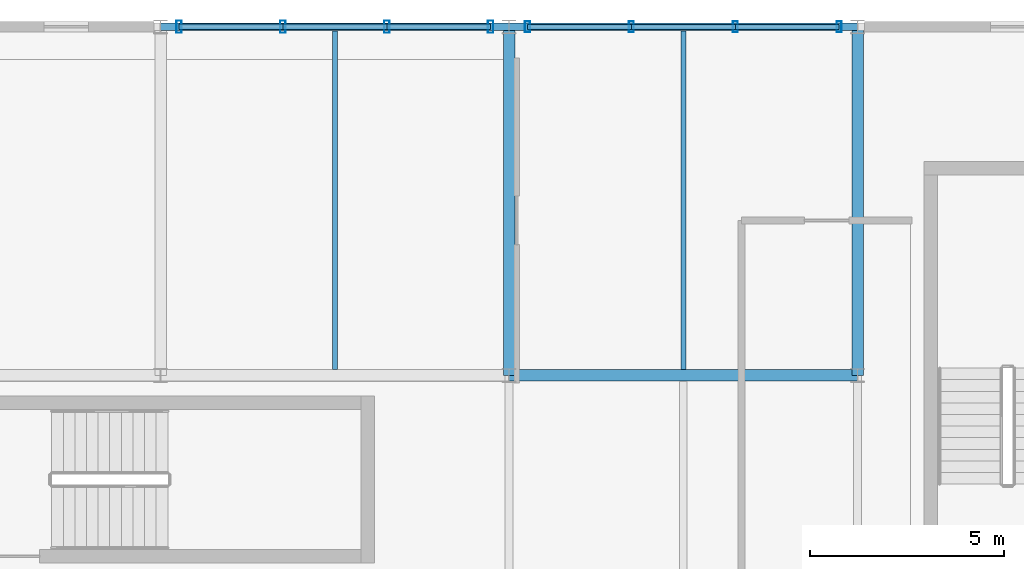
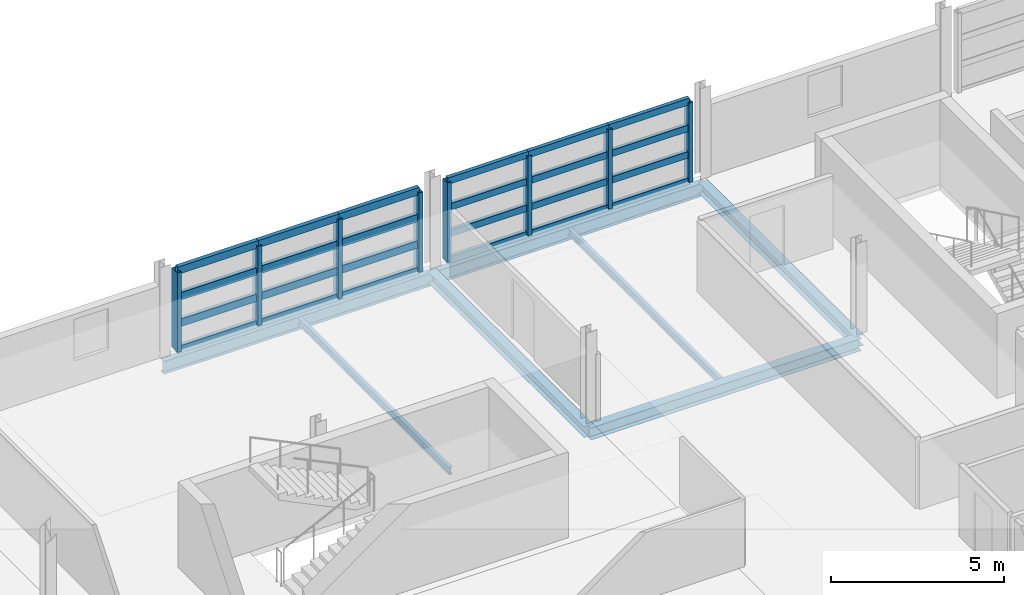
# One storey, part 14 of 30: 32 members, 7 beams, 2 elements without a shape of their own.
"""IFC4 building model written with IfcOpenShell, lengths in metres."""

from ifc_helpers import new_model, si_unit, direction, frame, origin, origin_2d, place, context, subcontext, project, spatial, hollow_rectangle, i_section, extrude, material, material_profile, profile_set, type_object, element, aggregate, save


model = new_model("IFC4")

# Units and contexts
model_context = context("Model", 3, precision=1e-05, world=origin(), true_north=direction((0.0, 1.0)))
body_context = subcontext(model_context, "Body", "Model", "MODEL_VIEW")
ifc_project = project(units=[si_unit("LENGTHUNIT", "METRE"), si_unit("AREAUNIT", "SQUARE_METRE"), si_unit("VOLUMEUNIT", "CUBIC_METRE"), si_unit("PLANEANGLEUNIT", "RADIAN"), si_unit("MASSUNIT", "GRAM", prefix="KILO")], contexts=[model_context])

# Site, building, storey
site_placement = place(None, origin())
site = spatial("IfcSite", under=ifc_project, at=site_placement, CompositionType="ELEMENT")
building_placement = place(site_placement, origin())
building = spatial("IfcBuilding", under=site, at=building_placement, Name="Chuanluo Vaults Station", CompositionType="ELEMENT")
storey_placement = place(building_placement, frame((0.0, 0.0, 17.60009765625)))
storey = spatial("IfcBuildingStorey", under=building, at=storey_placement, Name="L04", CompositionType="ELEMENT", Elevation=17.60009765625)

# Beams
ifc_material_1 = material(Name="Steel Q355C", Category="steel")
ifc_material_profile_1 = material_profile(ifc_material_1, i_section(OverallWidth=0.300048828125, OverallDepth=0.389892578125, WebThickness=0.010009765625, FlangeThickness=0.01611328125, FilletRadius=0.02001953125, at=origin_2d()))
ifc_profile_set_1 = profile_set([ifc_material_profile_1], Name="Steel Q355C")
beam_type_1 = type_object("IfcBeamType", Name="BM-GRD-400", PredefinedType="BEAM", material=ifc_profile_set_1)
for number, where, z_axis, x_axis, name in (
    (1, (163.0, 117.0, -0.39501953125), (0.0, 1.0, 0.0), (-1.0, 0.0, 0.0), "Floor girder BM:GY:L04:0932"),
    (2, (172.0, 117.0, -0.39501953125), (0.0, 1.0, 0.0), (-1.0, 0.0, 0.0), "Floor girder BM:GY:L04:0941"),
):
    element("IfcBeam", number, at=place(storey_placement, frame(where, z_axis=z_axis, x_axis=x_axis)), inside=storey, type_object=beam_type_1, Name=name, PredefinedType="BEAM", context=body_context, shape_type="SweptSolid", body=[
        extrude(i_section(OverallWidth=0.300048828125, OverallDepth=0.389892578125, WebThickness=0.010009765625, FlangeThickness=0.01611328125, FilletRadius=0.02001953125, at=origin_2d()), origin(), (0.0, 0.0, 1.0), 9.0),
    ])
ifc_material_2 = material(Name="Steel Q355C", Category="steel")
ifc_material_profile_2 = material_profile(ifc_material_2, i_section(OverallWidth=0.300048828125, OverallDepth=0.43994140625, WebThickness=0.010986328125, FlangeThickness=0.01806640625, FilletRadius=0.02001953125, at=origin_2d()))
ifc_profile_set_2 = profile_set([ifc_material_profile_2], Name="Steel Q355C")
beam_type_2 = type_object("IfcBeamType", Name="BM-GRD-450", PredefinedType="USERDEFINED", material=ifc_profile_set_2)
beam_placement = place(storey_placement, frame((163.0, 117.0, -0.420166015625), z_axis=(1.0, 0.0, 0.0), x_axis=(0.0, 1.0, 0.0)))
element("IfcBeam", 3, at=beam_placement, inside=storey, type_object=beam_type_2, Name="Floor girder BM:GX:L04:0888", ObjectType="GIRDER", PredefinedType="USERDEFINED", context=body_context, shape_type="SweptSolid", body=[
    extrude(i_section(OverallWidth=0.300048828125, OverallDepth=0.43994140625, WebThickness=0.010986328125, FlangeThickness=0.01806640625, FilletRadius=0.02001953125, at=origin_2d()), origin(), (0.0, 0.0, 1.0), 9.0),
])
ifc_material_3 = material(Name="Steel Q355C", Category="steel")
ifc_material_profile_3 = material_profile(ifc_material_3, i_section(OverallWidth=0.125, OverallDepth=0.25, WebThickness=0.006103515625, FlangeThickness=0.009033203125, FilletRadius=0.011962890625, at=origin_2d()))
ifc_profile_set_3 = profile_set([ifc_material_profile_3], Name="Steel Q355C")
beam_type_3 = type_object("IfcBeamType", Name="BM-SEC-250", PredefinedType="JOIST", material=ifc_profile_set_3)
for number, where, z_axis, x_axis, name in (
    (4, (158.5, 117.155029296875, -0.3251953125), (0.0, 1.0, 0.0), (-1.0, 0.0, 0.0), "Composite secondary joist 0284"),
    (5, (167.5, 117.155029296875, -0.3251953125), (0.0, 1.0, 0.0), (-1.0, 0.0, 0.0), "Composite secondary joist 0293"),
):
    element("IfcBeam", number, at=place(storey_placement, frame(where, z_axis=z_axis, x_axis=x_axis)), inside=storey, type_object=beam_type_3, Name=name, PredefinedType="JOIST", context=body_context, shape_type="SweptSolid", body=[
        extrude(i_section(OverallWidth=0.125, OverallDepth=0.25, WebThickness=0.006103515625, FlangeThickness=0.009033203125, FilletRadius=0.011962890625, at=origin_2d()), origin(), (0.0, 0.0, 1.0), 8.737548828125),
    ])
ifc_material_4 = material(Name="Steel Q355C", Category="steel")
ifc_material_profile_4 = material_profile(ifc_material_4, i_section(OverallWidth=0.205078125, OverallDepth=0.4599609375, WebThickness=0.009033203125, FlangeThickness=0.013916015625, FilletRadius=0.01611328125, at=origin_2d()))
ifc_profile_set_4 = profile_set([ifc_material_profile_4], Name="Steel Q355C")
beam_type_4 = type_object("IfcBeamType", Name="BM-SPN-450", PredefinedType="SPANDREL", material=ifc_profile_set_4)
for number, where, z_axis, x_axis, name in (
    (6, (154.0, 126.0, -0.43017578125), (1.0, 0.0, 0.0), (0.0, 1.0, 0.0), "Floor girder BM:GX:L04:0894"),
    (7, (163.0, 126.0, -0.43017578125), (1.0, 0.0, 0.0), (0.0, 1.0, 0.0), "Floor girder BM:GX:L04:0895"),
):
    element("IfcBeam", number, at=place(storey_placement, frame(where, z_axis=z_axis, x_axis=x_axis)), inside=storey, type_object=beam_type_4, Name=name, PredefinedType="SPANDREL", context=body_context, shape_type="SweptSolid", body=[
        extrude(i_section(OverallWidth=0.205078125, OverallDepth=0.4599609375, WebThickness=0.009033203125, FlangeThickness=0.013916015625, FilletRadius=0.01611328125, at=origin_2d()), origin(), (0.0, 0.0, 1.0), 9.0),
    ])

# Curtain wall, members
ifc_material_5 = material(Name="Anodised aluminium 6063-T6", Category="aluminium")
curtain_wall_type_1 = type_object("IfcCurtainWallType", Name="CW-SYS-18", PredefinedType="NOTDEFINED", material=ifc_material_5)
curtain_wall_1_placement = place(storey_placement, origin())
curtain_wall_1 = element("IfcCurtainWall", 8, at=curtain_wall_1_placement, inside=storey, type_object=curtain_wall_type_1, Name="Operations L04 facade CW", PredefinedType="NOTDEFINED")
ifc_material_6 = material(Name="Anodised aluminium 6063-T6", Category="aluminium")
ifc_material_profile_5 = material_profile(ifc_material_6, hollow_rectangle(XDim=0.1298828125, YDim=0.280029296875, WallThickness=0.007080078125, at=origin_2d()))
ifc_profile_set_5 = profile_set([ifc_material_profile_5], Name="Anodised aluminium 6063-T6")
member_type_1 = type_object("IfcMemberType", Name="CWM-180", PredefinedType="MULLION", material=ifc_profile_set_5)
member_1_placement = place(storey_placement, frame((163.47509765625, 126.0, 0.0), z_axis=(0.0, 0.0, 1.0), x_axis=(1.0, 0.0, 0.0)))
member_1 = element("IfcMember", 9, at=member_1_placement, type_object=member_type_1, Name="Operations L04 facade CW mullion 1", PredefinedType="MULLION", context=body_context, shape_type="SweptSolid", body=[
    extrude(hollow_rectangle(XDim=0.1298828125, YDim=0.280029296875, WallThickness=0.007080078125, at=origin_2d()), origin(), (0.0, 0.0, 1.0), 2.7998046875),
])
member_2_placement = place(storey_placement, frame((166.158203125, 126.0, 0.0), z_axis=(0.0, 0.0, 1.0), x_axis=(1.0, 0.0, 0.0)))
member_2 = element("IfcMember", 10, at=member_2_placement, type_object=member_type_1, Name="Operations L04 facade CW mullion 2", PredefinedType="MULLION", context=body_context, shape_type="SweptSolid", body=[
    extrude(hollow_rectangle(XDim=0.1298828125, YDim=0.280029296875, WallThickness=0.007080078125, at=origin_2d()), origin(), (0.0, 0.0, 1.0), 2.7998046875),
])
member_3_placement = place(storey_placement, frame((168.841796875, 126.0, 0.0), z_axis=(0.0, 0.0, 1.0), x_axis=(1.0, 0.0, 0.0)))
member_3 = element("IfcMember", 11, at=member_3_placement, type_object=member_type_1, Name="Operations L04 facade CW mullion 3", PredefinedType="MULLION", context=body_context, shape_type="SweptSolid", body=[
    extrude(hollow_rectangle(XDim=0.1298828125, YDim=0.280029296875, WallThickness=0.007080078125, at=origin_2d()), origin(), (0.0, 0.0, 1.0), 2.7998046875),
])
member_4_placement = place(storey_placement, frame((171.52490234375, 126.0, 0.0), z_axis=(0.0, 0.0, 1.0), x_axis=(1.0, 0.0, 0.0)))
member_4 = element("IfcMember", 12, at=member_4_placement, type_object=member_type_1, Name="Operations L04 facade CW mullion 4", PredefinedType="MULLION", context=body_context, shape_type="SweptSolid", body=[
    extrude(hollow_rectangle(XDim=0.1298828125, YDim=0.280029296875, WallThickness=0.007080078125, at=origin_2d()), origin(), (0.0, 0.0, 1.0), 2.7998046875),
])

ifc_material_7 = material(Name="Anodised aluminium 6063-T6", Category="aluminium")
curtain_wall_type_2 = type_object("IfcCurtainWallType", Name="CW-SYS-17", PredefinedType="NOTDEFINED", material=ifc_material_7)
curtain_wall_2_placement = place(storey_placement, origin())
curtain_wall_2 = element("IfcCurtainWall", 13, at=curtain_wall_2_placement, inside=storey, type_object=curtain_wall_type_2, Name="Operations L04 facade CW", PredefinedType="NOTDEFINED")
ifc_material_8 = material(Name="Anodised aluminium 6063-T6", Category="aluminium")
ifc_material_profile_6 = material_profile(ifc_material_8, hollow_rectangle(XDim=0.139892578125, YDim=0.320068359375, WallThickness=0.008056640625, at=origin_2d()))
ifc_profile_set_6 = profile_set([ifc_material_profile_6], Name="Anodised aluminium 6063-T6")
member_type_2 = type_object("IfcMemberType", Name="CWM-220", PredefinedType="MULLION", material=ifc_profile_set_6)
member_5_placement = place(storey_placement, frame((154.47509765625, 126.0, 0.0), z_axis=(0.0, 0.0, 1.0), x_axis=(1.0, 0.0, 0.0)))
member_5 = element("IfcMember", 14, at=member_5_placement, type_object=member_type_2, Name="Operations L04 facade CW mullion 1", PredefinedType="MULLION", context=body_context, shape_type="SweptSolid", body=[
    extrude(hollow_rectangle(XDim=0.139892578125, YDim=0.320068359375, WallThickness=0.008056640625, at=origin_2d()), origin(), (0.0, 0.0, 1.0), 2.7998046875),
])
member_6_placement = place(storey_placement, frame((157.158203125, 126.0, 0.0), z_axis=(0.0, 0.0, 1.0), x_axis=(1.0, 0.0, 0.0)))
member_6 = element("IfcMember", 15, at=member_6_placement, type_object=member_type_2, Name="Operations L04 facade CW mullion 2", PredefinedType="MULLION", context=body_context, shape_type="SweptSolid", body=[
    extrude(hollow_rectangle(XDim=0.139892578125, YDim=0.320068359375, WallThickness=0.008056640625, at=origin_2d()), origin(), (0.0, 0.0, 1.0), 2.7998046875),
])
member_7_placement = place(storey_placement, frame((159.841796875, 126.0, 0.0), z_axis=(0.0, 0.0, 1.0), x_axis=(1.0, 0.0, 0.0)))
member_7 = element("IfcMember", 16, at=member_7_placement, type_object=member_type_2, Name="Operations L04 facade CW mullion 3", PredefinedType="MULLION", context=body_context, shape_type="SweptSolid", body=[
    extrude(hollow_rectangle(XDim=0.139892578125, YDim=0.320068359375, WallThickness=0.008056640625, at=origin_2d()), origin(), (0.0, 0.0, 1.0), 2.7998046875),
])
member_8_placement = place(storey_placement, frame((162.52490234375, 126.0, 0.0), z_axis=(0.0, 0.0, 1.0), x_axis=(1.0, 0.0, 0.0)))
member_8 = element("IfcMember", 17, at=member_8_placement, type_object=member_type_2, Name="Operations L04 facade CW mullion 4", PredefinedType="MULLION", context=body_context, shape_type="SweptSolid", body=[
    extrude(hollow_rectangle(XDim=0.139892578125, YDim=0.320068359375, WallThickness=0.008056640625, at=origin_2d()), origin(), (0.0, 0.0, 1.0), 2.7998046875),
])

# Member
ifc_material_9 = material(Name="Anodised aluminium 6063-T6", Category="aluminium")
ifc_material_profile_7 = material_profile(ifc_material_9, hollow_rectangle(XDim=0.1298828125, YDim=0.22998046875, WallThickness=0.006103515625, at=origin_2d()))
ifc_profile_set_7 = profile_set([ifc_material_profile_7], Name="Anodised aluminium 6063-T6")
member_type_3 = type_object("IfcMemberType", Name="CWT-150", PredefinedType="USERDEFINED", material=ifc_profile_set_7)
member_9_placement = place(storey_placement, frame((163.47509765625, 126.0, 0.0), z_axis=(1.0, 0.0, 0.0), x_axis=(0.0, 1.0, 0.0)))
member_9 = element("IfcMember", 18, at=member_9_placement, type_object=member_type_3, Name="Operations L04 facade CW transom 1.1", ObjectType="TRANSOM", PredefinedType="USERDEFINED", context=body_context, shape_type="SweptSolid", body=[
    extrude(hollow_rectangle(XDim=0.1298828125, YDim=0.22998046875, WallThickness=0.006103515625, at=origin_2d()), origin(), (0.0, 0.0, 1.0), 2.68310546875),
])

member_10_placement = place(storey_placement, frame((163.47509765625, 126.0, 0.93310546875), z_axis=(1.0, 0.0, 0.0), x_axis=(0.0, 1.0, 0.0)))
member_10 = element("IfcMember", 19, at=member_10_placement, type_object=member_type_3, Name="Operations L04 facade CW transom 1.2", ObjectType="TRANSOM", PredefinedType="USERDEFINED", context=body_context, shape_type="SweptSolid", body=[
    extrude(hollow_rectangle(XDim=0.1298828125, YDim=0.22998046875, WallThickness=0.006103515625, at=origin_2d()), origin(), (0.0, 0.0, 1.0), 2.68310546875),
])

member_11_placement = place(storey_placement, frame((163.47509765625, 126.0, 1.86669921875), z_axis=(1.0, 0.0, 0.0), x_axis=(0.0, 1.0, 0.0)))
member_11 = element("IfcMember", 20, at=member_11_placement, type_object=member_type_3, Name="Operations L04 facade CW transom 1.3", ObjectType="TRANSOM", PredefinedType="USERDEFINED", context=body_context, shape_type="SweptSolid", body=[
    extrude(hollow_rectangle(XDim=0.1298828125, YDim=0.22998046875, WallThickness=0.006103515625, at=origin_2d()), origin(), (0.0, 0.0, 1.0), 2.68310546875),
])

member_12_placement = place(storey_placement, frame((163.47509765625, 126.0, 2.7998046875), z_axis=(1.0, 0.0, 0.0), x_axis=(0.0, 1.0, 0.0)))
member_12 = element("IfcMember", 21, at=member_12_placement, type_object=member_type_3, Name="Operations L04 facade CW transom 1.4", ObjectType="TRANSOM", PredefinedType="USERDEFINED", context=body_context, shape_type="SweptSolid", body=[
    extrude(hollow_rectangle(XDim=0.1298828125, YDim=0.22998046875, WallThickness=0.006103515625, at=origin_2d()), origin(), (0.0, 0.0, 1.0), 2.68310546875),
])

member_13_placement = place(storey_placement, frame((166.158203125, 126.0, 0.0), z_axis=(1.0, 0.0, 0.0), x_axis=(0.0, 1.0, 0.0)))
member_13 = element("IfcMember", 22, at=member_13_placement, type_object=member_type_3, Name="Operations L04 facade CW transom 2.1", ObjectType="TRANSOM", PredefinedType="USERDEFINED", context=body_context, shape_type="SweptSolid", body=[
    extrude(hollow_rectangle(XDim=0.1298828125, YDim=0.22998046875, WallThickness=0.006103515625, at=origin_2d()), origin(), (0.0, 0.0, 1.0), 2.68359375),
])

member_14_placement = place(storey_placement, frame((166.158203125, 126.0, 0.93310546875), z_axis=(1.0, 0.0, 0.0), x_axis=(0.0, 1.0, 0.0)))
member_14 = element("IfcMember", 23, at=member_14_placement, type_object=member_type_3, Name="Operations L04 facade CW transom 2.2", ObjectType="TRANSOM", PredefinedType="USERDEFINED", context=body_context, shape_type="SweptSolid", body=[
    extrude(hollow_rectangle(XDim=0.1298828125, YDim=0.22998046875, WallThickness=0.006103515625, at=origin_2d()), origin(), (0.0, 0.0, 1.0), 2.68359375),
])

member_15_placement = place(storey_placement, frame((166.158203125, 126.0, 1.86669921875), z_axis=(1.0, 0.0, 0.0), x_axis=(0.0, 1.0, 0.0)))
member_15 = element("IfcMember", 24, at=member_15_placement, type_object=member_type_3, Name="Operations L04 facade CW transom 2.3", ObjectType="TRANSOM", PredefinedType="USERDEFINED", context=body_context, shape_type="SweptSolid", body=[
    extrude(hollow_rectangle(XDim=0.1298828125, YDim=0.22998046875, WallThickness=0.006103515625, at=origin_2d()), origin(), (0.0, 0.0, 1.0), 2.68359375),
])

member_16_placement = place(storey_placement, frame((166.158203125, 126.0, 2.7998046875), z_axis=(1.0, 0.0, 0.0), x_axis=(0.0, 1.0, 0.0)))
member_16 = element("IfcMember", 25, at=member_16_placement, type_object=member_type_3, Name="Operations L04 facade CW transom 2.4", ObjectType="TRANSOM", PredefinedType="USERDEFINED", context=body_context, shape_type="SweptSolid", body=[
    extrude(hollow_rectangle(XDim=0.1298828125, YDim=0.22998046875, WallThickness=0.006103515625, at=origin_2d()), origin(), (0.0, 0.0, 1.0), 2.68359375),
])

member_17_placement = place(storey_placement, frame((168.841796875, 126.0, 0.0), z_axis=(1.0, 0.0, 0.0), x_axis=(0.0, 1.0, 0.0)))
member_17 = element("IfcMember", 26, at=member_17_placement, type_object=member_type_3, Name="Operations L04 facade CW transom 3.1", ObjectType="TRANSOM", PredefinedType="USERDEFINED", context=body_context, shape_type="SweptSolid", body=[
    extrude(hollow_rectangle(XDim=0.1298828125, YDim=0.22998046875, WallThickness=0.006103515625, at=origin_2d()), origin(), (0.0, 0.0, 1.0), 2.68310546875),
])

member_18_placement = place(storey_placement, frame((168.841796875, 126.0, 0.93310546875), z_axis=(1.0, 0.0, 0.0), x_axis=(0.0, 1.0, 0.0)))
member_18 = element("IfcMember", 27, at=member_18_placement, type_object=member_type_3, Name="Operations L04 facade CW transom 3.2", ObjectType="TRANSOM", PredefinedType="USERDEFINED", context=body_context, shape_type="SweptSolid", body=[
    extrude(hollow_rectangle(XDim=0.1298828125, YDim=0.22998046875, WallThickness=0.006103515625, at=origin_2d()), origin(), (0.0, 0.0, 1.0), 2.68310546875),
])

member_19_placement = place(storey_placement, frame((168.841796875, 126.0, 1.86669921875), z_axis=(1.0, 0.0, 0.0), x_axis=(0.0, 1.0, 0.0)))
member_19 = element("IfcMember", 28, at=member_19_placement, type_object=member_type_3, Name="Operations L04 facade CW transom 3.3", ObjectType="TRANSOM", PredefinedType="USERDEFINED", context=body_context, shape_type="SweptSolid", body=[
    extrude(hollow_rectangle(XDim=0.1298828125, YDim=0.22998046875, WallThickness=0.006103515625, at=origin_2d()), origin(), (0.0, 0.0, 1.0), 2.68310546875),
])

member_20_placement = place(storey_placement, frame((168.841796875, 126.0, 2.7998046875), z_axis=(1.0, 0.0, 0.0), x_axis=(0.0, 1.0, 0.0)))
member_20 = element("IfcMember", 29, at=member_20_placement, type_object=member_type_3, Name="Operations L04 facade CW transom 3.4", ObjectType="TRANSOM", PredefinedType="USERDEFINED", context=body_context, shape_type="SweptSolid", body=[
    extrude(hollow_rectangle(XDim=0.1298828125, YDim=0.22998046875, WallThickness=0.006103515625, at=origin_2d()), origin(), (0.0, 0.0, 1.0), 2.68310546875),
])

aggregate(curtain_wall_1, [member_1, member_2, member_3, member_4, member_9, member_10, member_11, member_12, member_13, member_14, member_15, member_16, member_17, member_18, member_19, member_20])

ifc_material_10 = material(Name="Anodised aluminium 6063-T6", Category="aluminium")
ifc_material_profile_8 = material_profile(ifc_material_10, hollow_rectangle(XDim=0.139892578125, YDim=0.260009765625, WallThickness=0.007080078125, at=origin_2d()))
ifc_profile_set_8 = profile_set([ifc_material_profile_8], Name="Anodised aluminium 6063-T6")
member_type_4 = type_object("IfcMemberType", Name="CWT-180", PredefinedType="USERDEFINED", material=ifc_profile_set_8)
member_21_placement = place(storey_placement, frame((154.47509765625, 126.0, 0.0), z_axis=(1.0, 0.0, 0.0), x_axis=(0.0, 1.0, 0.0)))
member_21 = element("IfcMember", 30, at=member_21_placement, type_object=member_type_4, Name="Operations L04 facade CW transom 1.1", ObjectType="TRANSOM", PredefinedType="USERDEFINED", context=body_context, shape_type="SweptSolid", body=[
    extrude(hollow_rectangle(XDim=0.139892578125, YDim=0.260009765625, WallThickness=0.007080078125, at=origin_2d()), origin(), (0.0, 0.0, 1.0), 2.68310546875),
])

member_22_placement = place(storey_placement, frame((154.47509765625, 126.0, 0.93310546875), z_axis=(1.0, 0.0, 0.0), x_axis=(0.0, 1.0, 0.0)))
member_22 = element("IfcMember", 31, at=member_22_placement, type_object=member_type_4, Name="Operations L04 facade CW transom 1.2", ObjectType="TRANSOM", PredefinedType="USERDEFINED", context=body_context, shape_type="SweptSolid", body=[
    extrude(hollow_rectangle(XDim=0.139892578125, YDim=0.260009765625, WallThickness=0.007080078125, at=origin_2d()), origin(), (0.0, 0.0, 1.0), 2.68310546875),
])

member_23_placement = place(storey_placement, frame((154.47509765625, 126.0, 1.86669921875), z_axis=(1.0, 0.0, 0.0), x_axis=(0.0, 1.0, 0.0)))
member_23 = element("IfcMember", 32, at=member_23_placement, type_object=member_type_4, Name="Operations L04 facade CW transom 1.3", ObjectType="TRANSOM", PredefinedType="USERDEFINED", context=body_context, shape_type="SweptSolid", body=[
    extrude(hollow_rectangle(XDim=0.139892578125, YDim=0.260009765625, WallThickness=0.007080078125, at=origin_2d()), origin(), (0.0, 0.0, 1.0), 2.68310546875),
])

member_24_placement = place(storey_placement, frame((154.47509765625, 126.0, 2.7998046875), z_axis=(1.0, 0.0, 0.0), x_axis=(0.0, 1.0, 0.0)))
member_24 = element("IfcMember", 33, at=member_24_placement, type_object=member_type_4, Name="Operations L04 facade CW transom 1.4", ObjectType="TRANSOM", PredefinedType="USERDEFINED", context=body_context, shape_type="SweptSolid", body=[
    extrude(hollow_rectangle(XDim=0.139892578125, YDim=0.260009765625, WallThickness=0.007080078125, at=origin_2d()), origin(), (0.0, 0.0, 1.0), 2.68310546875),
])

member_25_placement = place(storey_placement, frame((157.158203125, 126.0, 0.0), z_axis=(1.0, 0.0, 0.0), x_axis=(0.0, 1.0, 0.0)))
member_25 = element("IfcMember", 34, at=member_25_placement, type_object=member_type_4, Name="Operations L04 facade CW transom 2.1", ObjectType="TRANSOM", PredefinedType="USERDEFINED", context=body_context, shape_type="SweptSolid", body=[
    extrude(hollow_rectangle(XDim=0.139892578125, YDim=0.260009765625, WallThickness=0.007080078125, at=origin_2d()), origin(), (0.0, 0.0, 1.0), 2.68359375),
])

member_26_placement = place(storey_placement, frame((157.158203125, 126.0, 0.93310546875), z_axis=(1.0, 0.0, 0.0), x_axis=(0.0, 1.0, 0.0)))
member_26 = element("IfcMember", 35, at=member_26_placement, type_object=member_type_4, Name="Operations L04 facade CW transom 2.2", ObjectType="TRANSOM", PredefinedType="USERDEFINED", context=body_context, shape_type="SweptSolid", body=[
    extrude(hollow_rectangle(XDim=0.139892578125, YDim=0.260009765625, WallThickness=0.007080078125, at=origin_2d()), origin(), (0.0, 0.0, 1.0), 2.68359375),
])

member_27_placement = place(storey_placement, frame((157.158203125, 126.0, 1.86669921875), z_axis=(1.0, 0.0, 0.0), x_axis=(0.0, 1.0, 0.0)))
member_27 = element("IfcMember", 36, at=member_27_placement, type_object=member_type_4, Name="Operations L04 facade CW transom 2.3", ObjectType="TRANSOM", PredefinedType="USERDEFINED", context=body_context, shape_type="SweptSolid", body=[
    extrude(hollow_rectangle(XDim=0.139892578125, YDim=0.260009765625, WallThickness=0.007080078125, at=origin_2d()), origin(), (0.0, 0.0, 1.0), 2.68359375),
])

member_28_placement = place(storey_placement, frame((157.158203125, 126.0, 2.7998046875), z_axis=(1.0, 0.0, 0.0), x_axis=(0.0, 1.0, 0.0)))
member_28 = element("IfcMember", 37, at=member_28_placement, type_object=member_type_4, Name="Operations L04 facade CW transom 2.4", ObjectType="TRANSOM", PredefinedType="USERDEFINED", context=body_context, shape_type="SweptSolid", body=[
    extrude(hollow_rectangle(XDim=0.139892578125, YDim=0.260009765625, WallThickness=0.007080078125, at=origin_2d()), origin(), (0.0, 0.0, 1.0), 2.68359375),
])

member_29_placement = place(storey_placement, frame((159.841796875, 126.0, 0.0), z_axis=(1.0, 0.0, 0.0), x_axis=(0.0, 1.0, 0.0)))
member_29 = element("IfcMember", 38, at=member_29_placement, type_object=member_type_4, Name="Operations L04 facade CW transom 3.1", ObjectType="TRANSOM", PredefinedType="USERDEFINED", context=body_context, shape_type="SweptSolid", body=[
    extrude(hollow_rectangle(XDim=0.139892578125, YDim=0.260009765625, WallThickness=0.007080078125, at=origin_2d()), origin(), (0.0, 0.0, 1.0), 2.68310546875),
])

member_30_placement = place(storey_placement, frame((159.841796875, 126.0, 0.93310546875), z_axis=(1.0, 0.0, 0.0), x_axis=(0.0, 1.0, 0.0)))
member_30 = element("IfcMember", 39, at=member_30_placement, type_object=member_type_4, Name="Operations L04 facade CW transom 3.2", ObjectType="TRANSOM", PredefinedType="USERDEFINED", context=body_context, shape_type="SweptSolid", body=[
    extrude(hollow_rectangle(XDim=0.139892578125, YDim=0.260009765625, WallThickness=0.007080078125, at=origin_2d()), origin(), (0.0, 0.0, 1.0), 2.68310546875),
])

member_31_placement = place(storey_placement, frame((159.841796875, 126.0, 1.86669921875), z_axis=(1.0, 0.0, 0.0), x_axis=(0.0, 1.0, 0.0)))
member_31 = element("IfcMember", 40, at=member_31_placement, type_object=member_type_4, Name="Operations L04 facade CW transom 3.3", ObjectType="TRANSOM", PredefinedType="USERDEFINED", context=body_context, shape_type="SweptSolid", body=[
    extrude(hollow_rectangle(XDim=0.139892578125, YDim=0.260009765625, WallThickness=0.007080078125, at=origin_2d()), origin(), (0.0, 0.0, 1.0), 2.68310546875),
])

member_32_placement = place(storey_placement, frame((159.841796875, 126.0, 2.7998046875), z_axis=(1.0, 0.0, 0.0), x_axis=(0.0, 1.0, 0.0)))
member_32 = element("IfcMember", 41, at=member_32_placement, type_object=member_type_4, Name="Operations L04 facade CW transom 3.4", ObjectType="TRANSOM", PredefinedType="USERDEFINED", context=body_context, shape_type="SweptSolid", body=[
    extrude(hollow_rectangle(XDim=0.139892578125, YDim=0.260009765625, WallThickness=0.007080078125, at=origin_2d()), origin(), (0.0, 0.0, 1.0), 2.68310546875),
])

aggregate(curtain_wall_2, [member_5, member_6, member_7, member_8, member_21, member_22, member_23, member_24, member_25, member_26, member_27, member_28, member_29, member_30, member_31, member_32])

save(model, "model.ifc")
